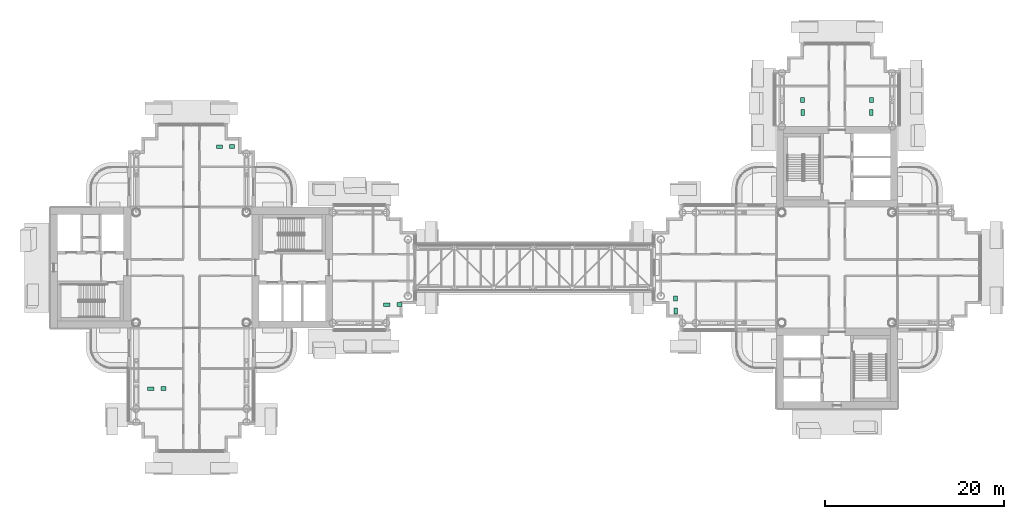
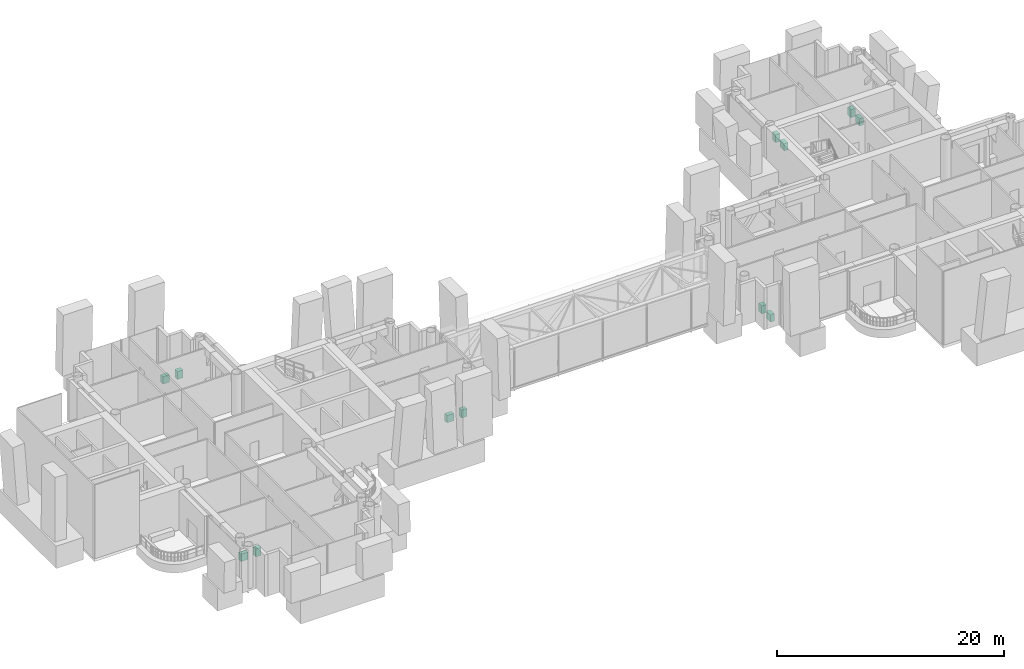
# One storey, part 26 of 26: 12 sanitary terminals.
"""IFC4 building model written with IfcOpenShell, lengths in metres."""

from ifc_helpers import new_model, si_unit, direction, frame, origin, origin_2d, place, context, subcontext, project, spatial, rectangle, extrude, material, type_object, element, save


model = new_model("IFC4")

# Units and contexts
model_context = context("Model", 3, precision=1e-05, world=origin(), true_north=direction((0.0, 1.0)))
body_context = subcontext(model_context, "Body", "Model", "MODEL_VIEW")
ifc_project = project(units=[si_unit("LENGTHUNIT", "METRE"), si_unit("AREAUNIT", "SQUARE_METRE"), si_unit("VOLUMEUNIT", "CUBIC_METRE"), si_unit("PLANEANGLEUNIT", "RADIAN"), si_unit("MASSUNIT", "GRAM", prefix="KILO")], contexts=[model_context])

# Site, building, storey
site_placement = place(None, origin())
site = spatial("IfcSite", under=ifc_project, at=site_placement, CompositionType="ELEMENT")
building_placement = place(site_placement, origin())
building = spatial("IfcBuilding", under=site, at=building_placement, Name="Ipe Terrace Towers", CompositionType="ELEMENT")
storey_placement = place(building_placement, frame((0.0, 0.0, 181.300048828125)))
storey = spatial("IfcBuildingStorey", under=building, at=storey_placement, Name="L50", CompositionType="ELEMENT", Elevation=181.300048828125)

# Sanitary terminals
ifc_material_1 = material(Name="Vitreous china", Category="ceramic")
sanitary_terminal_type_1 = type_object("IfcSanitaryTerminalType", Name="Wash basin", PredefinedType="WASHHANDBASIN", material=ifc_material_1)
for number, where, z_axis, x_axis, name in (
    (1, (-12.800048828125, -4.125, 0.0), (0.0, 0.0, 1.0), (1.0, 0.0, 0.0), "Wash basin"),
    (2, (-31.47509765625, 13.5, 0.0), (0.0, 0.0, 1.0), (1.0, 0.0, 0.0), "Wash basin"),
    (3, (-39.125, -13.5, 0.0), (0.0, 0.0, 1.0), (1.0, 0.0, 0.0), "Wash basin"),
    (4, (32.175048828125, 18.699951171875, 0.0), (0.0, 0.0, 1.0), (0.0, 1.0, 0.0), "Wash basin"),
    (5, (39.824951171875, 18.699951171875, 0.0), (0.0, 0.0, 1.0), (0.0, 1.0, 0.0), "Wash basin"),
    (6, (18.0, -3.425048828125, 0.0), (0.0, 0.0, 1.0), (0.0, 1.0, 0.0), "Wash basin"),
):
    element("IfcSanitaryTerminal", number, at=place(storey_placement, frame(where, z_axis=z_axis, x_axis=x_axis)), inside=storey, type_object=sanitary_terminal_type_1, Name=name, PredefinedType="WASHHANDBASIN", context=body_context, shape_type="SweptSolid", body=[
        extrude(rectangle(XDim=0.550048828125, YDim=0.449951171875, at=origin_2d()), origin(), (0.0, 0.0, 1.0), 0.85009765625),
    ])
ifc_material_2 = material(Name="Vitreous china", Category="ceramic")
sanitary_terminal_type_2 = type_object("IfcSanitaryTerminalType", Name="Water closet", PredefinedType="TOILETPAN", material=ifc_material_2)
for number, where, z_axis, x_axis, name in (
    (7, (-14.199951171875, -4.125, 0.0), (0.0, 0.0, 1.0), (1.0, 0.0, 0.0), "Water closet"),
    (8, (-32.875, 13.5, 0.0), (0.0, 0.0, 1.0), (1.0, 0.0, 0.0), "Water closet"),
    (9, (-40.52490234375, -13.5, 0.0), (0.0, 0.0, 1.0), (1.0, 0.0, 0.0), "Water closet"),
    (10, (32.175048828125, 17.300048828125, 0.0), (0.0, 0.0, 1.0), (0.0, 1.0, 0.0), "Water closet"),
    (11, (39.824951171875, 17.300048828125, 0.0), (0.0, 0.0, 1.0), (0.0, 1.0, 0.0), "Water closet"),
    (12, (18.0, -4.824951171875, 0.0), (0.0, 0.0, 1.0), (0.0, 1.0, 0.0), "Water closet"),
):
    element("IfcSanitaryTerminal", number, at=place(storey_placement, frame(where, z_axis=z_axis, x_axis=x_axis)), inside=storey, type_object=sanitary_terminal_type_2, Name=name, PredefinedType="TOILETPAN", context=body_context, shape_type="SweptSolid", body=[
        extrude(rectangle(XDim=0.699951171875, YDim=0.39990234375, at=origin_2d()), origin(), (0.0, 0.0, 1.0), 0.780029296875),
    ])

save(model, "model.ifc")
